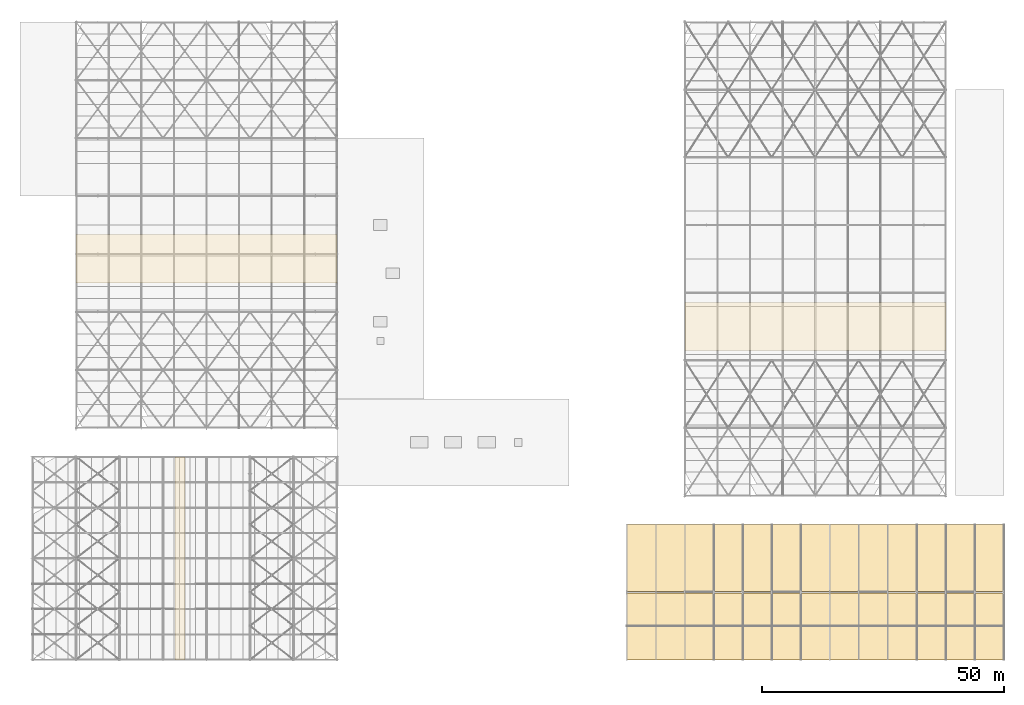
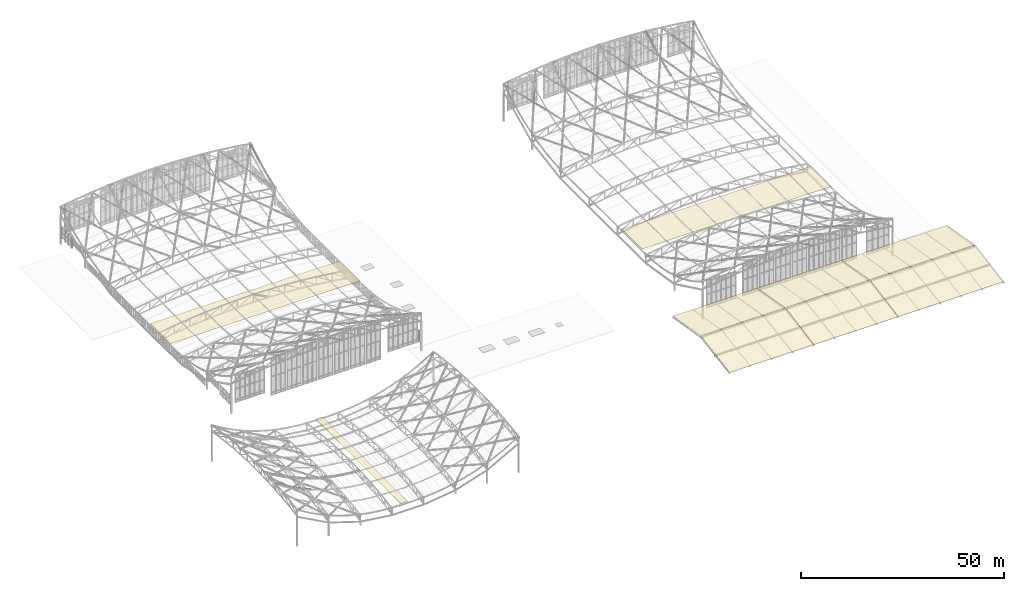
# One storey, part 262 of 262: 9 coverings, 6 elements without a shape of their own.
"""IFC4 building model written with IfcOpenShell, lengths in metres."""

from ifc_helpers import new_model, si_unit, derived_unit, direction, frame, origin, place, context, subcontext, project, spatial, polyline, outline, extrude, material, layer, layer_set, type_object, element, aggregate, save


model = new_model("IFC4")

# Units and contexts
model_context = context("Model", 3, precision=1e-05, world=origin(), true_north=direction((0.0, 1.0)))
body_context = subcontext(model_context, "Body", "Model", "MODEL_VIEW")
ifc_project = project(units=[si_unit("LENGTHUNIT", "METRE"), si_unit("AREAUNIT", "SQUARE_METRE"), si_unit("VOLUMEUNIT", "CUBIC_METRE"), si_unit("PLANEANGLEUNIT", "RADIAN"), si_unit("MASSUNIT", "GRAM", prefix="KILO"), derived_unit("THERMALTRANSMITTANCEUNIT", [(si_unit("POWERUNIT", "WATT"), 1), (si_unit("LENGTHUNIT", "METRE"), -2), (si_unit("THERMODYNAMICTEMPERATUREUNIT", "KELVIN"), -1)])], contexts=[model_context])

# Site, building, storey
site_placement = place(None, origin())
site = spatial("IfcSite", under=ifc_project, at=site_placement, CompositionType="ELEMENT")
building_placement = place(site_placement, origin())
building = spatial("IfcBuilding", under=site, at=building_placement, Name="Almenara Railside Exhibition Hall", CompositionType="ELEMENT")
storey_placement = place(building_placement, frame((0.0, 0.0, 21.699951171875)))
storey = spatial("IfcBuildingStorey", under=building, at=storey_placement, Name="RF", CompositionType="ELEMENT", Elevation=21.699951171875)

# Roof, coverings
ifc_material_1 = material(Name="Cordova red clay barrel roof tiles")
ifc_layer_1 = layer(ifc_material_1, 0.10009765625, Name="Cordova red clay barrel roof tiles")
ifc_layer_set_1 = layer_set([ifc_layer_1], Name="Cordova red clay barrel roof tiles")
roof_type_1 = type_object("IfcRoofType", Name="Cordova Red Clay Barrel-Tile Hipped Roof System", PredefinedType="HIP_ROOF", material=ifc_layer_set_1)
roof_1_placement = place(storey_placement, origin())
roof_1 = element("IfcRoof", 1, at=roof_1_placement, inside=storey, type_object=roof_type_1, Name="Congress Wing clay-tile roof 1", PredefinedType="HIP_ROOF")
ifc_layer_2 = layer(ifc_material_1, 0.06494140625, Name="Cordova red clay barrel roof tiles")
ifc_layer_set_2 = layer_set([ifc_layer_2], Name="Cordova red clay barrel roof tiles")
covering_type_1 = type_object("IfcCoveringType", Name="Cordova Clay Barrel-Tile Roof Covering 65mm", PredefinedType="ROOFING", material=ifc_layer_set_2)
covering_1_placement = place(storey_placement, frame((126.0, 0.0, -0.8798828125), z_axis=(0.0, -0.177264334688, 0.984163276925), x_axis=(1.0, 0.0, 0.0)))
covering_1 = element("IfcCovering", 2, at=covering_1_placement, type_object=covering_type_1, Name="Cordova clay tile south 1", PredefinedType="ROOFING", context=body_context, shape_type="SweptSolid", body=[
    extrude(outline(polyline([(0.0, 0.0), (24.0, 0.0), (24.0, 14.103231788804045), (0.0, 14.103231788804045), (0.0, 0.0)])), origin(), (0.0, 0.0, -1.0), 0.06494140625),
])
covering_2_placement = place(storey_placement, frame((126.0, 14.1201171875, 1.6201171875), z_axis=(0.0, 0.177264334688, 0.984163276925), x_axis=(1.0, 0.0, 0.0)))
covering_2 = element("IfcCovering", 3, at=covering_2_placement, type_object=covering_type_1, Name="Cordova clay tile north 1", PredefinedType="ROOFING", context=body_context, shape_type="SweptSolid", body=[
    extrude(outline(polyline([(0.0, 0.0), (24.0, 0.0), (24.0, 14.103231788804045), (0.0, 14.103231788804045), (0.0, 0.0)])), origin(), (0.0, 0.0, -1.0), 0.06494140625),
])
aggregate(roof_1, [covering_1, covering_2])

roof_2_placement = place(storey_placement, origin())
roof_2 = element("IfcRoof", 4, at=roof_2_placement, inside=storey, type_object=roof_type_1, Name="Congress Wing clay-tile roof 2", PredefinedType="HIP_ROOF")
covering_3_placement = place(storey_placement, frame((150.0, 0.0, -0.8798828125), z_axis=(0.0, -0.177264334688, 0.984163276925), x_axis=(1.0, 0.0, 0.0)))
covering_3 = element("IfcCovering", 5, at=covering_3_placement, type_object=covering_type_1, Name="Cordova clay tile south 2", PredefinedType="ROOFING", context=body_context, shape_type="SweptSolid", body=[
    extrude(outline(polyline([(0.0, 0.0), (24.0, 0.0), (24.0, 14.103231788804045), (0.0, 14.103231788804045), (0.0, 0.0)])), origin(), (0.0, 0.0, -1.0), 0.06494140625),
])
covering_4_placement = place(storey_placement, frame((150.0, 14.1201171875, 1.6201171875), z_axis=(0.0, 0.177264334688, 0.984163276925), x_axis=(1.0, 0.0, 0.0)))
covering_4 = element("IfcCovering", 6, at=covering_4_placement, type_object=covering_type_1, Name="Cordova clay tile north 2", PredefinedType="ROOFING", context=body_context, shape_type="SweptSolid", body=[
    extrude(outline(polyline([(0.0, 0.0), (24.0, 0.0), (24.0, 14.103231788804045), (0.0, 14.103231788804045), (0.0, 0.0)])), origin(), (0.0, 0.0, -1.0), 0.06494140625),
])
aggregate(roof_2, [covering_3, covering_4])

roof_3_placement = place(storey_placement, origin())
roof_3 = element("IfcRoof", 7, at=roof_3_placement, inside=storey, type_object=roof_type_1, Name="Congress Wing clay-tile roof 3", PredefinedType="HIP_ROOF")
covering_5_placement = place(storey_placement, frame((174.0, 0.0, -0.8798828125), z_axis=(0.0, -0.177264334688, 0.984163276925), x_axis=(1.0, 0.0, 0.0)))
covering_5 = element("IfcCovering", 8, at=covering_5_placement, type_object=covering_type_1, Name="Cordova clay tile south 3", PredefinedType="ROOFING", context=body_context, shape_type="SweptSolid", body=[
    extrude(outline(polyline([(0.0, 0.0), (30.0, 0.0), (30.0, 14.103231788804043), (0.0, 14.103231788804043), (0.0, 0.0)])), origin(), (0.0, 0.0, -1.0), 0.06494140625),
])
covering_6_placement = place(storey_placement, frame((174.0, 14.1201171875, 1.6201171875), z_axis=(0.0, 0.177264334688, 0.984163276925), x_axis=(1.0, 0.0, 0.0)))
covering_6 = element("IfcCovering", 9, at=covering_6_placement, type_object=covering_type_1, Name="Cordova clay tile north 3", PredefinedType="ROOFING", context=body_context, shape_type="SweptSolid", body=[
    extrude(outline(polyline([(0.0, 0.0), (30.0, 0.0), (30.0, 14.103231788804043), (0.0, 14.103231788804043), (0.0, 0.0)])), origin(), (0.0, 0.0, -1.0), 0.06494140625),
])
aggregate(roof_3, [covering_5, covering_6])

# Roof, covering
ifc_material_2 = material(Name="White standing-seam zinc-aluminium roofing", Category="aluminium")
ifc_layer_3 = layer(ifc_material_2, 0.080078125, Name="White standing-seam zinc-aluminium roofing")
ifc_layer_set_3 = layer_set([ifc_layer_3], Name="White standing-seam zinc-aluminium roofing")
roof_type_2 = type_object("IfcRoofType", Name="Scroll-Swept Standing-Seam Roof System", PredefinedType="BARREL_ROOF", material=ifc_layer_set_3)
roof_4_placement = place(storey_placement, origin())
roof_4 = element("IfcRoof", 10, at=roof_4_placement, inside=storey, type_object=roof_type_2, Name="V1 standing-seam roof assembly", PredefinedType="BARREL_ROOF")
ifc_material_3 = material(Name="White standing-seam aluzinc roof cladding")
ifc_layer_4 = layer(ifc_material_3, 0.044921875, Name="White standing-seam aluzinc roof cladding")
ifc_layer_set_4 = layer_set([ifc_layer_4], Name="White standing-seam aluzinc roof cladding")
covering_type_2 = type_object("IfcCoveringType", Name="White Standing-Seam Metal Roof Covering 45mm", PredefinedType="ROOFING", material=ifc_layer_set_4)
covering_7_placement = place(storey_placement, frame((0.0, 0.0, 0.344970703125)))
covering_7 = element("IfcCovering", 11, at=covering_7_placement, type_object=covering_type_2, Name="V1 standing-seam central cladding", PredefinedType="ROOFING", context=body_context, shape_type="SweptSolid", body=[
    extrude(outline(polyline([(12.0, 78.0), (66.0, 78.0), (66.0, 88.0), (12.0, 88.0), (12.0, 78.0)])), origin(), (0.0, 0.0, 1.0), 0.045166015625),
])
aggregate(roof_4, [covering_7])

roof_5_placement = place(storey_placement, origin())
roof_5 = element("IfcRoof", 12, at=roof_5_placement, inside=storey, type_object=roof_type_2, Name="V2 standing-seam roof assembly", PredefinedType="BARREL_ROOF")
covering_8_placement = place(storey_placement, frame((0.0, 0.0, -6.85498046875)))
covering_8 = element("IfcCovering", 13, at=covering_8_placement, type_object=covering_type_2, Name="V2 standing-seam central cladding", PredefinedType="ROOFING", context=body_context, shape_type="SweptSolid", body=[
    extrude(outline(polyline([(138.0, 64.0), (192.0, 64.0), (192.0, 74.0), (138.0, 74.0), (138.0, 64.0)])), origin(), (0.0, 0.0, 1.0), 0.044921875),
])
aggregate(roof_5, [covering_8])

roof_6_placement = place(storey_placement, origin())
roof_6 = element("IfcRoof", 14, at=roof_6_placement, inside=storey, type_object=roof_type_2, Name="V4 standing-seam roof assembly", PredefinedType="BARREL_ROOF")
covering_9_placement = place(storey_placement, frame((0.0, 0.0, -7.655029296875)))
covering_9 = element("IfcCovering", 15, at=covering_9_placement, type_object=covering_type_2, Name="V4 standing-seam central cladding", PredefinedType="ROOFING", context=body_context, shape_type="SweptSolid", body=[
    extrude(outline(polyline([(32.5, 0.0), (34.5, 0.0), (34.5, 42.0), (32.5, 42.0), (32.5, 0.0)])), origin(), (0.0, 0.0, 1.0), 0.045166015625),
])
aggregate(roof_6, [covering_9])

save(model, "model.ifc")
